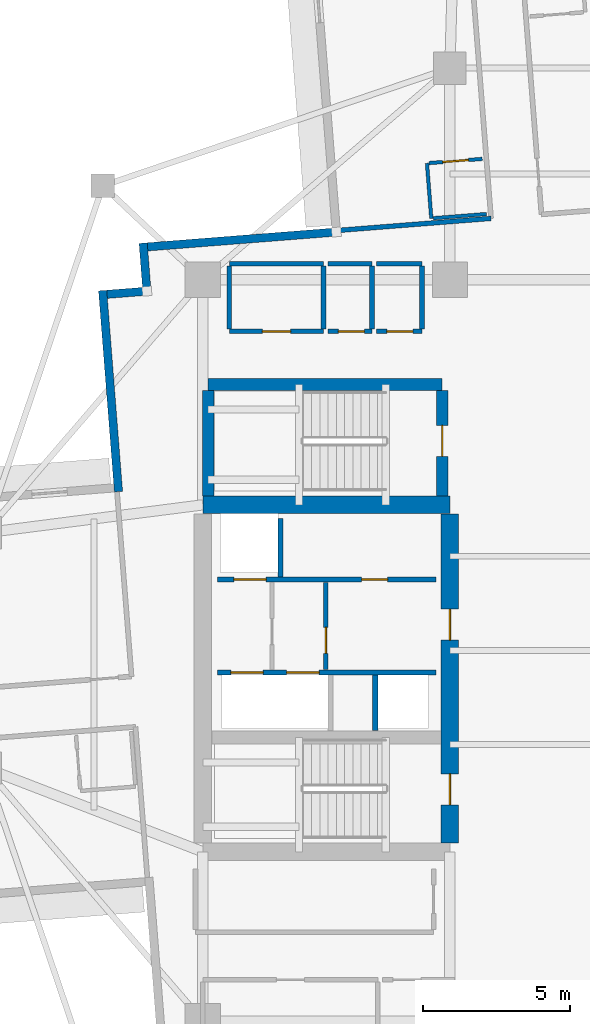
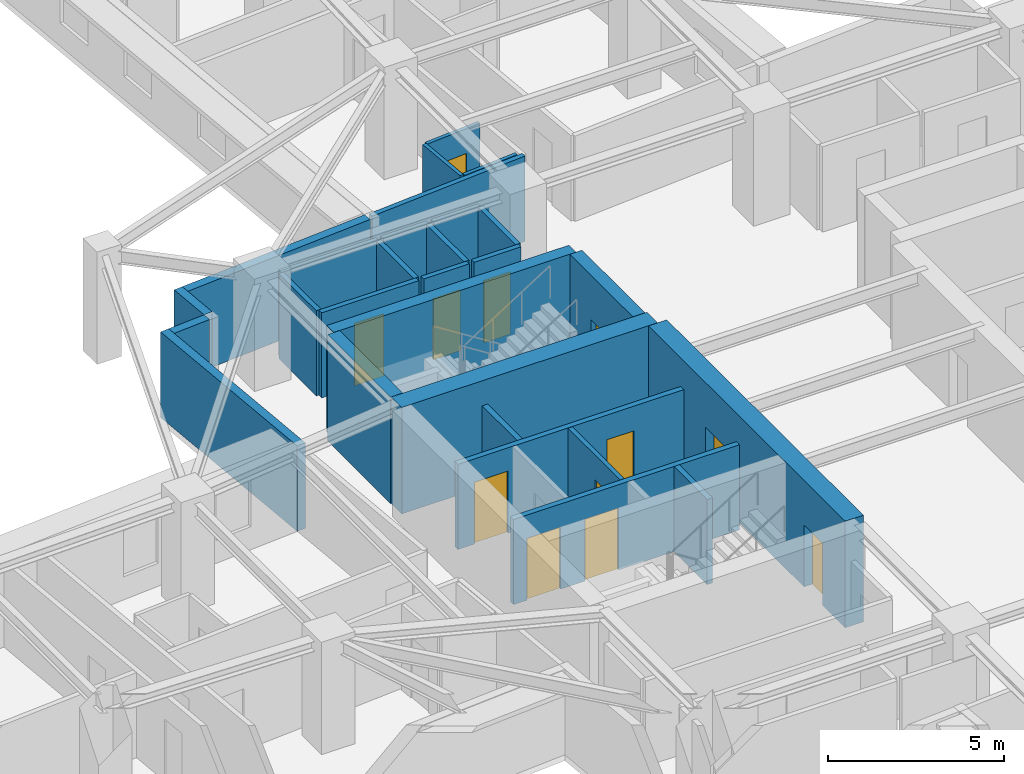
# One storey, part 6 of 14: 28 walls, 12 doors, 12 openings.
"""IFC4 building model written with IfcOpenShell, lengths in metres."""

from ifc_helpers import new_model, si_unit, direction, frame, frame_2d, origin, place, context, subcontext, project, spatial, rectangle, extrude, material, layer, layer_set, type_object, element, fill, save


model = new_model("IFC4")

# Units and contexts
model_context = context("Model", 3, precision=1e-05, world=origin(), true_north=direction((0.0, 1.0)))
body_context = subcontext(model_context, "Body", "Model", "MODEL_VIEW")
ifc_project = project(units=[si_unit("LENGTHUNIT", "METRE"), si_unit("AREAUNIT", "SQUARE_METRE"), si_unit("VOLUMEUNIT", "CUBIC_METRE"), si_unit("PLANEANGLEUNIT", "RADIAN"), si_unit("MASSUNIT", "GRAM", prefix="KILO")], contexts=[model_context])

# Site, building, storey
site_placement = place(None, origin())
site = spatial("IfcSite", under=ifc_project, at=site_placement, CompositionType="ELEMENT")
building_placement = place(site_placement, origin())
building = spatial("IfcBuilding", under=site, at=building_placement, Name="Qingluan Cross Belvedere", CompositionType="ELEMENT")
storey_placement = place(building_placement, frame((0.0, 0.0, 124.199951171875)))
storey = spatial("IfcBuildingStorey", under=building, at=storey_placement, Name="L31", CompositionType="ELEMENT", Elevation=124.199951171875)

# Walls
ifc_material_1 = material(Name="Concrete C50", Category="concrete")
ifc_layer_1 = layer(ifc_material_1, 0.449951171875, Name="CoreShearWall_450")
ifc_layer_set_1 = layer_set([ifc_layer_1], Name="Concrete C50")
wall_type_1 = type_object("IfcWallType", Name="CoreShearWall_450", PredefinedType="SHEAR", material=ifc_layer_set_1)
wall_1_placement = place(storey_placement, frame((-12.219970703125, 9.0400390625, 0.0), z_axis=(0.0, 0.0, 1.0), x_axis=(1.0, 0.0, 0.0)))
element("IfcWall", 1, at=wall_1_placement, inside=storey, type_object=wall_type_1, Name="Stair ST3 structural wall N L31", PredefinedType="SHEAR", context=body_context, shape_type="SweptSolid", body=[
    extrude(rectangle(XDim=7.9599609375, YDim=0.39990234375, at=frame_2d((3.97998046875, 0.0))), origin(), (0.0, 0.0, 1.0), 3.699951171875),
])
wall_2_placement = place(storey_placement, frame((-12.219970703125, 5.2548828125, 0.0), z_axis=(0.0, 0.0, 1.0), x_axis=(0.0, 1.0, 0.0)))
element("IfcWall", 2, at=wall_2_placement, inside=storey, type_object=wall_type_1, Name="Stair ST3 structural wall W L31", PredefinedType="SHEAR", context=body_context, shape_type="SweptSolid", body=[
    extrude(rectangle(XDim=3.580078125, YDim=0.39990234375, at=frame_2d((1.7900390625, 0.0))), origin(), (0.0, 0.0, 1.0), 3.699951171875),
])

# Wall, opening, door
wall_3_placement = place(storey_placement, frame((-4.260009765625, 5.2548828125, 0.0), z_axis=(0.0, 0.0, 1.0), x_axis=(0.0, 1.0, 0.0)))
wall_3 = element("IfcWall", 3, at=wall_3_placement, inside=storey, type_object=wall_type_1, Name="Stair ST3 structural wall E L31", PredefinedType="SHEAR", context=body_context, shape_type="SweptSolid", body=[
    extrude(rectangle(XDim=3.580078125, YDim=0.39990234375, at=frame_2d((1.7900390625, 0.0))), origin(), (0.0, 0.0, 1.0), 3.699951171875),
])
opening_1_placement = place(wall_3_placement, frame((1.344970703125, 0.0, 0.0)))
opening_1 = element("IfcOpeningElement", 4, at=opening_1_placement, cuts=wall_3, Name="Opening FD-B11", PredefinedType="OPENING", context=body_context, shape_type="SweptSolid", body=[
    extrude(rectangle(XDim=1.050048828125, YDim=2.14990234375, at=frame_2d((0.52490234375, 1.074951171875))), frame((0.0, 0.2099609375, 0.0), z_axis=(0.0, -1.0, 0.0), x_axis=(1.0, 0.0, 0.0)), (0.0, 0.0, 1.0), 0.419921875),
])
ifc_material_2 = material(Name="Steel Class B smoke-seal fire door", Category="steel")
door_type_1 = type_object("IfcDoorType", Name="StairLobbyFireDoor_FDB", OperationType="NOTDEFINED", PredefinedType="DOOR", material=ifc_material_2)
door_1_placement = place(opening_1_placement, origin())
door_1 = element("IfcDoor", 5, at=door_1_placement, inside=storey, type_object=door_type_1, Name="Smoke-proof stair ST3 fire door L31", OperationType="SINGLE_SWING_LEFT", OverallHeight=2.14990234375, OverallWidth=1.050048828125, PredefinedType="DOOR", context=body_context, shape_type="SweptSolid", body=[
    extrude(rectangle(XDim=1.050048828125, YDim=2.14990234375, at=frame_2d((0.52490234375, 1.074951171875))), frame((0.0, 0.02490234375, 0.0), z_axis=(0.0, -1.0, 0.0), x_axis=(1.0, 0.0, 0.0)), (0.0, 0.0, 1.0), 0.050048828125),
])
fill(opening_1, door_1)

# Wall
ifc_material_3 = material(Name="Concrete C60", Category="concrete")
ifc_layer_2 = layer(ifc_material_3, 0.60009765625, Name="CoreShearWall_600")
ifc_layer_set_2 = layer_set([ifc_layer_2], Name="Concrete C60")
wall_type_2 = type_object("IfcWallType", Name="CoreShearWall_600", PredefinedType="SHEAR", material=ifc_layer_set_2)
wall_4_placement = place(storey_placement, frame((-12.39990234375, 4.949951171875, 0.0), z_axis=(0.0, 0.0, 1.0), x_axis=(1.0, 0.0, 0.0)))
element("IfcWall", 6, at=wall_4_placement, inside=storey, type_object=wall_type_2, Name="Split core W shear wall L31-N", PredefinedType="SHEAR", context=body_context, shape_type="SweptSolid", body=[
    extrude(rectangle(XDim=8.39990234375, YDim=0.60009765625, at=frame_2d((4.199951171875, 0.0))), origin(), (0.0, 0.0, 1.0), 3.699951171875),
])

# Wall, openings, doors
wall_5_placement = place(storey_placement, frame((-4.0, -6.544921875, 0.0), z_axis=(0.0, 0.0, 1.0), x_axis=(0.0, 1.0, 0.0)))
wall_5 = element("IfcWall", 7, at=wall_5_placement, inside=storey, type_object=wall_type_2, Name="Split core W shear wall L31-E", PredefinedType="SHEAR", context=body_context, shape_type="SweptSolid", body=[
    extrude(rectangle(XDim=11.18994140625, YDim=0.60009765625, at=frame_2d((5.594970703125, 0.0))), origin(), (0.0, 0.0, 1.0), 3.699951171875),
])
opening_2_placement = place(wall_5_placement, frame((1.294921875, 0.0, 0.0)))
opening_2 = element("IfcOpeningElement", 8, at=opening_2_placement, cuts=wall_5, Name="Opening FD-B11", PredefinedType="OPENING", context=body_context, shape_type="SweptSolid", body=[
    extrude(rectangle(XDim=1.050048828125, YDim=2.14990234375, at=frame_2d((0.52490234375, 1.074951171875))), frame((0.0, 0.31005859375, 0.0), z_axis=(0.0, -1.0, 0.0), x_axis=(1.0, 0.0, 0.0)), (0.0, 0.0, 1.0), 0.6201171875),
])
opening_3_placement = place(wall_5_placement, frame((6.89501953125, 0.0, 0.0)))
opening_3 = element("IfcOpeningElement", 9, at=opening_3_placement, cuts=wall_5, Name="Opening FD-B11", PredefinedType="OPENING", context=body_context, shape_type="SweptSolid", body=[
    extrude(rectangle(XDim=1.050048828125, YDim=2.14990234375, at=frame_2d((0.52490234375, 1.074951171875))), frame((0.0, 0.31005859375, 0.0), z_axis=(0.0, -1.0, 0.0), x_axis=(1.0, 0.0, 0.0)), (0.0, 0.0, 1.0), 0.6201171875),
])
door_2_placement = place(opening_2_placement, origin())
door_2 = element("IfcDoor", 10, at=door_2_placement, inside=storey, type_object=door_type_1, Name="Smoke-proof stair ST1 fire door L31", OperationType="SINGLE_SWING_LEFT", OverallHeight=2.14990234375, OverallWidth=1.050048828125, PredefinedType="DOOR", context=body_context, shape_type="SweptSolid", body=[
    extrude(rectangle(XDim=1.050048828125, YDim=2.14990234375, at=frame_2d((0.52490234375, 1.074951171875))), frame((0.0, 0.02490234375, 0.0), z_axis=(0.0, -1.0, 0.0), x_axis=(1.0, 0.0, 0.0)), (0.0, 0.0, 1.0), 0.050048828125),
])
fill(opening_2, door_2)
door_3_placement = place(opening_3_placement, origin())
door_3 = element("IfcDoor", 11, at=door_3_placement, inside=storey, type_object=door_type_1, Name="Firefighting lobby West fire door L31", OperationType="SINGLE_SWING_LEFT", OverallHeight=2.14990234375, OverallWidth=1.050048828125, PredefinedType="DOOR", context=body_context, shape_type="SweptSolid", body=[
    extrude(rectangle(XDim=1.050048828125, YDim=2.14990234375, at=frame_2d((0.52490234375, 1.074951171875))), frame((0.0, 0.02490234375, 0.0), z_axis=(0.0, -1.0, 0.0), x_axis=(1.0, 0.0, 0.0)), (0.0, 0.0, 1.0), 0.050048828125),
])
fill(opening_3, door_3)

# Wall, opening, door
ifc_material_4 = material(Name="Gypsum plasterboard on steel stud acoustic partition", Category="steel")
ifc_layer_3 = layer(ifc_material_4, 0.159912109375, Name="CorridorPartition_160")
ifc_layer_set_3 = layer_set([ifc_layer_3], Name="Gypsum plasterboard on steel stud acoustic partition")
wall_type_3 = type_object("IfcWallType", Name="CorridorPartition_160", PredefinedType="PARTITIONING", material=ifc_layer_set_3)
wall_6_placement = place(storey_placement, frame((-11.5, 10.85009765625, 0.0), z_axis=(0.0, 0.0, 1.0), x_axis=(1.0, 0.0, 0.0)))
wall_6 = element("IfcWall", 12, at=wall_6_placement, inside=storey, type_object=wall_type_3, Name="Partition L31:q_nw_occ:S", PredefinedType="PARTITIONING", context=body_context, shape_type="SweptSolid", body=[
    extrude(rectangle(XDim=3.199951171875, YDim=0.159912109375, at=frame_2d((1.60009765625, 0.0))), origin(), (0.0, 0.0, 1.0), 2.9599609375),
])
opening_4_placement = place(wall_6_placement, frame((1.1201171875, 0.0, 0.0)))
opening_4 = element("IfcOpeningElement", 13, at=opening_4_placement, cuts=wall_6, Name="Opening GD-10", PredefinedType="OPENING", context=body_context, shape_type="SweptSolid", body=[
    extrude(rectangle(XDim=0.9599609375, YDim=2.14990234375, at=frame_2d((0.47998046875, 1.074951171875))), frame((0.0, 0.08984375, 0.0), z_axis=(0.0, -1.0, 0.0), x_axis=(1.0, 0.0, 0.0)), (0.0, 0.0, 1.0), 0.179931640625),
])
ifc_material_5 = material(Name="Timber oak fire-rated acoustic guestroom door", Category="wood")
door_type_2 = type_object("IfcDoorType", Name="GuestEntryDoor_FD60", OperationType="NOTDEFINED", PredefinedType="DOOR", material=ifc_material_5)
door_4_placement = place(opening_4_placement, origin())
door_4 = element("IfcDoor", 14, at=door_4_placement, inside=storey, type_object=door_type_2, Name="Northwest corner reading salon L31 door", OperationType="SINGLE_SWING_RIGHT", OverallHeight=2.14990234375, OverallWidth=0.9599609375, PredefinedType="DOOR", context=body_context, shape_type="SweptSolid", body=[
    extrude(rectangle(XDim=0.9599609375, YDim=2.14990234375, at=frame_2d((0.47998046875, 1.074951171875))), frame((0.0, 0.02490234375, 0.0), z_axis=(0.0, -1.0, 0.0), x_axis=(1.0, 0.0, 0.0)), (0.0, 0.0, 1.0), 0.050048828125),
])
fill(opening_4, door_4)

# Walls
wall_7_placement = place(storey_placement, frame((-11.5, 13.14990234375, 0.0), z_axis=(0.0, 0.0, 1.0), x_axis=(1.0, 0.0, 0.0)))
element("IfcWall", 15, at=wall_7_placement, inside=storey, type_object=wall_type_3, Name="Partition L31:q_nw_occ:N", PredefinedType="PARTITIONING", context=body_context, shape_type="SweptSolid", body=[
    extrude(rectangle(XDim=3.199951171875, YDim=0.159912109375, at=frame_2d((1.60009765625, 0.0))), origin(), (0.0, 0.0, 1.0), 2.9599609375),
])
for number, where, z_axis, x_axis, name in (
    (16, (-11.5, 10.93505859375, 0.0), (0.0, 0.0, 1.0), (0.0, 1.0, 0.0), "Partition L31:q_nw_occ:W"),
    (17, (-8.300048828125, 10.93505859375, 0.0), (0.0, 0.0, 1.0), (0.0, 1.0, 0.0), "Partition L31:q_nw_occ:E"),
):
    element("IfcWall", number, at=place(storey_placement, frame(where, z_axis=z_axis, x_axis=x_axis)), inside=storey, type_object=wall_type_3, Name=name, PredefinedType="PARTITIONING", context=body_context, shape_type="SweptSolid", body=[
        extrude(rectangle(XDim=2.1298828125, YDim=0.159912109375, at=frame_2d((1.06494140625, 0.0))), origin(), (0.0, 0.0, 1.0), 2.9599609375),
    ])

# Wall, opening, door
wall_8_placement = place(storey_placement, frame((-8.139892578125, 10.85009765625, 0.0), z_axis=(0.0, 0.0, 1.0), x_axis=(1.0, 0.0, 0.0)))
wall_8 = element("IfcWall", 18, at=wall_8_placement, inside=storey, type_object=wall_type_3, Name="Partition L31:hk_linen:S", PredefinedType="PARTITIONING", context=body_context, shape_type="SweptSolid", body=[
    extrude(rectangle(XDim=1.489990234375, YDim=0.159912109375, at=frame_2d((0.7451171875, 0.0))), origin(), (0.0, 0.0, 1.0), 2.9599609375),
])
opening_5_placement = place(wall_8_placement, frame((0.35009765625, 0.0, 0.0)))
opening_5 = element("IfcOpeningElement", 19, at=opening_5_placement, cuts=wall_8, Name="Opening FD-B10", PredefinedType="OPENING", context=body_context, shape_type="SweptSolid", body=[
    extrude(rectangle(XDim=0.8798828125, YDim=2.10009765625, at=frame_2d((0.43994140625, 1.050048828125))), frame((0.0, 0.08984375, 0.0), z_axis=(0.0, -1.0, 0.0), x_axis=(1.0, 0.0, 0.0)), (0.0, 0.0, 1.0), 0.179931640625),
])
ifc_material_6 = material(Name="Steel Class B service fire door", Category="steel")
door_type_3 = type_object("IfcDoorType", Name="RiserServiceFireDoor_FDB", OperationType="NOTDEFINED", PredefinedType="DOOR", material=ifc_material_6)
door_5_placement = place(opening_5_placement, origin())
door_5 = element("IfcDoor", 20, at=door_5_placement, inside=storey, type_object=door_type_3, Name="Housekeeping and linen store L31 door", OperationType="SINGLE_SWING_LEFT", OverallHeight=2.10009765625, OverallWidth=0.8798828125, PredefinedType="DOOR", context=body_context, shape_type="SweptSolid", body=[
    extrude(rectangle(XDim=0.8798828125, YDim=2.10009765625, at=frame_2d((0.43994140625, 1.050048828125))), frame((0.0, 0.02490234375, 0.0), z_axis=(0.0, -1.0, 0.0), x_axis=(1.0, 0.0, 0.0)), (0.0, 0.0, 1.0), 0.050048828125),
])
fill(opening_5, door_5)

# Walls
wall_9_placement = place(storey_placement, frame((-8.139892578125, 13.14990234375, 0.0), z_axis=(0.0, 0.0, 1.0), x_axis=(1.0, 0.0, 0.0)))
element("IfcWall", 21, at=wall_9_placement, inside=storey, type_object=wall_type_3, Name="Partition L31:hk_linen:N", PredefinedType="PARTITIONING", context=body_context, shape_type="SweptSolid", body=[
    extrude(rectangle(XDim=1.489990234375, YDim=0.159912109375, at=frame_2d((0.7451171875, 0.0))), origin(), (0.0, 0.0, 1.0), 2.9599609375),
])
wall_10_placement = place(storey_placement, frame((-6.64990234375, 10.93505859375, 0.0), z_axis=(0.0, 0.0, 1.0), x_axis=(0.0, 1.0, 0.0)))
element("IfcWall", 22, at=wall_10_placement, inside=storey, type_object=wall_type_3, Name="Partition L31:hk_linen:E", PredefinedType="PARTITIONING", context=body_context, shape_type="SweptSolid", body=[
    extrude(rectangle(XDim=2.1298828125, YDim=0.159912109375, at=frame_2d((1.06494140625, 0.0))), origin(), (0.0, 0.0, 1.0), 2.9599609375),
])

# Wall, opening, door
wall_11_placement = place(storey_placement, frame((-6.489990234375, 10.85009765625, 0.0), z_axis=(0.0, 0.0, 1.0), x_axis=(1.0, 0.0, 0.0)))
wall_11 = element("IfcWall", 23, at=wall_11_placement, inside=storey, type_object=wall_type_3, Name="Partition L31:floor_acc_wc:S", PredefinedType="PARTITIONING", context=body_context, shape_type="SweptSolid", body=[
    extrude(rectangle(XDim=1.5400390625, YDim=0.159912109375, at=frame_2d((0.77001953125, 0.0))), origin(), (0.0, 0.0, 1.0), 2.9599609375),
])
opening_6_placement = place(wall_11_placement, frame((0.35009765625, 0.0, 0.0)))
opening_6 = element("IfcOpeningElement", 24, at=opening_6_placement, cuts=wall_11, Name="Opening BD-08", PredefinedType="OPENING", context=body_context, shape_type="SweptSolid", body=[
    extrude(rectangle(XDim=0.8798828125, YDim=2.14990234375, at=frame_2d((0.43994140625, 1.074951171875))), frame((0.0, 0.08984375, 0.0), z_axis=(0.0, -1.0, 0.0), x_axis=(1.0, 0.0, 0.0)), (0.0, 0.0, 1.0), 0.179931640625),
])
ifc_material_7 = material(Name="Moisture-sealed timber accessible WC door", Category="wood")
door_type_4 = type_object("IfcDoorType", Name="AccessibleWCDoor_880", OperationType="NOTDEFINED", PredefinedType="DOOR", material=ifc_material_7)
door_6_placement = place(opening_6_placement, origin())
door_6 = element("IfcDoor", 25, at=door_6_placement, inside=storey, type_object=door_type_4, Name="Accessible guest washroom L31 door", OperationType="SINGLE_SWING_RIGHT", OverallHeight=2.14990234375, OverallWidth=0.8798828125, PredefinedType="DOOR", context=body_context, shape_type="SweptSolid", body=[
    extrude(rectangle(XDim=0.8798828125, YDim=2.14990234375, at=frame_2d((0.43994140625, 1.074951171875))), frame((0.0, 0.02490234375, 0.0), z_axis=(0.0, -1.0, 0.0), x_axis=(1.0, 0.0, 0.0)), (0.0, 0.0, 1.0), 0.050048828125),
])
fill(opening_6, door_6)

# Walls
wall_12_placement = place(storey_placement, frame((-6.489990234375, 13.14990234375, 0.0), z_axis=(0.0, 0.0, 1.0), x_axis=(1.0, 0.0, 0.0)))
element("IfcWall", 26, at=wall_12_placement, inside=storey, type_object=wall_type_3, Name="Partition L31:floor_acc_wc:N", PredefinedType="PARTITIONING", context=body_context, shape_type="SweptSolid", body=[
    extrude(rectangle(XDim=1.5400390625, YDim=0.159912109375, at=frame_2d((0.77001953125, 0.0))), origin(), (0.0, 0.0, 1.0), 2.9599609375),
])
wall_13_placement = place(storey_placement, frame((-4.949951171875, 10.93505859375, 0.0), z_axis=(0.0, 0.0, 1.0), x_axis=(0.0, 1.0, 0.0)))
element("IfcWall", 27, at=wall_13_placement, inside=storey, type_object=wall_type_3, Name="Partition L31:floor_acc_wc:E", PredefinedType="PARTITIONING", context=body_context, shape_type="SweptSolid", body=[
    extrude(rectangle(XDim=2.1298828125, YDim=0.159912109375, at=frame_2d((1.06494140625, 0.0))), origin(), (0.0, 0.0, 1.0), 2.9599609375),
])
wall_14_placement = place(storey_placement, frame((-2.6005859375, 14.691162109375, 0.0), z_axis=(0.0, 0.0, 1.0), x_axis=(-0.996920542587, -0.078418312705, 0.0)))
element("IfcWall", 28, at=wall_14_placement, inside=storey, type_object=wall_type_3, Name="Partition L31:N:s1", PredefinedType="PARTITIONING", context=body_context, shape_type="SweptSolid", body=[
    extrude(rectangle(XDim=5.2802734375, YDim=0.159912109375, at=frame_2d((2.64013671875, 0.0))), origin(), (0.0, 0.0, 1.0), 2.9599609375),
])

# Wall, opening, door
ifc_material_8 = material(Name="Moisture-resistant gypsum board lining")
ifc_layer_4 = layer(ifc_material_8, 0.1201171875, Name="EnsuiteWetPartition_120")
ifc_layer_set_4 = layer_set([ifc_layer_4], Name="Moisture-resistant gypsum board lining")
wall_type_4 = type_object("IfcWallType", Name="EnsuiteWetPartition_120", PredefinedType="PARTITIONING", material=ifc_layer_set_4)
wall_15_placement = place(storey_placement, frame((-4.714599609375, 16.5712890625, 0.0), z_axis=(0.0, 0.0, 1.0), x_axis=(0.996915574626, 0.078481444107, 0.0)))
wall_15 = element("IfcWall", 29, at=wall_15_placement, inside=storey, type_object=wall_type_4, Name="Partition L31:N:bs1_0", PredefinedType="PARTITIONING", context=body_context, shape_type="SweptSolid", body=[
    extrude(rectangle(XDim=1.81982421875, YDim=0.1201171875, at=frame_2d((0.909912109375, 0.0))), origin(), (0.0, 0.0, 1.0), 2.9599609375),
])
opening_7_placement = place(wall_15_placement, frame((0.469970703125, 0.0, 0.0)))
opening_7 = element("IfcOpeningElement", 30, at=opening_7_placement, cuts=wall_15, Name="Opening BD-09", PredefinedType="OPENING", context=body_context, shape_type="SweptSolid", body=[
    extrude(rectangle(XDim=0.8798828125, YDim=2.10009765625, at=frame_2d((0.43994140625, 1.050048828125))), frame((0.0, 0.070068359375, 0.0), z_axis=(0.0, -1.0, 0.0), x_axis=(1.0, 0.0, 0.0)), (0.0, 0.0, 1.0), 0.14013671875),
])
ifc_material_9 = material(Name="Moisture-sealed timber en-suite door", Category="wood")
door_type_5 = type_object("IfcDoorType", Name="BathroomDoor_880", OperationType="NOTDEFINED", PredefinedType="DOOR", material=ifc_material_9)
door_7_placement = place(opening_7_placement, origin())
door_7 = element("IfcDoor", 31, at=door_7_placement, inside=storey, type_object=door_type_5, Name="Bathroom door 3108", OperationType="SINGLE_SWING_LEFT", OverallHeight=2.10009765625, OverallWidth=0.8798828125, PredefinedType="DOOR", context=body_context, shape_type="SweptSolid", body=[
    extrude(rectangle(XDim=0.8798828125, YDim=2.10009765625, at=frame_2d((0.43994140625, 1.050048828125))), frame((0.0, 0.02490234375, 0.0), z_axis=(0.0, -1.0, 0.0), x_axis=(1.0, 0.0, 0.0)), (0.0, 0.0, 1.0), 0.050048828125),
])
fill(opening_7, door_7)

# Walls
wall_16_placement = place(storey_placement, frame((-4.567138671875, 14.697021484375, 0.0), z_axis=(0.0, 0.0, 1.0), x_axis=(0.996916400774, 0.0784709492, 0.0)))
element("IfcWall", 32, at=wall_16_placement, inside=storey, type_object=wall_type_4, Name="Partition L31:N:bw1_0", PredefinedType="PARTITIONING", context=body_context, shape_type="SweptSolid", body=[
    extrude(rectangle(XDim=1.820068359375, YDim=0.1201171875, at=frame_2d((0.91015625, 0.0))), origin(), (0.0, 0.0, 1.0), 2.9599609375),
])
wall_17_placement = place(storey_placement, frame((-4.632080078125, 14.69189453125, 0.0), z_axis=(0.0, 0.0, 1.0), x_axis=(-0.07843418698, 0.996919293781, 0.0)))
element("IfcWall", 33, at=wall_17_placement, inside=storey, type_object=wall_type_4, Name="Partition L31:N:bc1_0", PredefinedType="PARTITIONING", context=body_context, shape_type="SweptSolid", body=[
    extrude(rectangle(XDim=1.880126953125, YDim=0.1201171875, at=frame_2d((0.93994140625, 0.0))), origin(), (0.0, 0.0, 1.0), 2.9599609375),
])
ifc_material_10 = material(Name="Precast concrete C45", Category="concrete")
ifc_layer_5 = layer(ifc_material_10, 0.280029296875, Name="PrecastFacadeWall_280")
ifc_layer_set_5 = layer_set([ifc_layer_5], Name="Precast concrete C45")
wall_type_5 = type_object("IfcWallType", Name="PrecastFacadeWall_280", PredefinedType="STANDARD", material=ifc_layer_set_5)
wall_18_placement = place(storey_placement, frame((-15.2705078125, 5.3984375, 0.0), z_axis=(0.0, 0.0, 1.0), x_axis=(-0.078473519122, 0.996916198482, 0.0)))
element("IfcWall", 34, at=wall_18_placement, inside=storey, type_object=wall_type_5, Name="Corner wall L31-NW1", PredefinedType="STANDARD", context=body_context, shape_type="SweptSolid", body=[
    extrude(rectangle(XDim=6.860107421875, YDim=0.280029296875, at=frame_2d((3.43017578125, 0.0))), origin(), (0.0, 0.0, 1.0), 2.969970703125),
])
wall_19_placement = place(storey_placement, frame((-15.658203125, 12.10888671875, 0.0), z_axis=(0.0, 0.0, 1.0), x_axis=(0.996917540398, 0.078456469752, 0.0)))
element("IfcWall", 35, at=wall_19_placement, inside=storey, type_object=wall_type_5, Name="Corner wall L31-NW2", PredefinedType="STANDARD", context=body_context, shape_type="SweptSolid", body=[
    extrude(rectangle(XDim=1.2197265625, YDim=0.280029296875, at=frame_2d((0.60986328125, 0.0))), origin(), (0.0, 0.0, 1.0), 2.969970703125),
])
wall_20_placement = place(storey_placement, frame((-14.3134765625, 12.35498046875, 0.0), z_axis=(0.0, 0.0, 1.0), x_axis=(-0.078451338629, 0.9969179442, 0.0)))
element("IfcWall", 36, at=wall_20_placement, inside=storey, type_object=wall_type_5, Name="Corner wall L31-NW3", PredefinedType="STANDARD", context=body_context, shape_type="SweptSolid", body=[
    extrude(rectangle(XDim=1.5, YDim=0.280029296875, at=frame_2d((0.75, 0.0))), origin(), (0.0, 0.0, 1.0), 2.969970703125),
])
wall_21_placement = place(storey_placement, frame((-14.280517578125, 13.721923828125, 0.0), z_axis=(0.0, 0.0, 1.0), x_axis=(0.99691915642, 0.078435932851, 0.0)))
element("IfcWall", 37, at=wall_21_placement, inside=storey, type_object=wall_type_5, Name="Corner wall L31-NW4", PredefinedType="STANDARD", context=body_context, shape_type="SweptSolid", body=[
    extrude(rectangle(XDim=6.2998046875, YDim=0.280029296875, at=frame_2d((3.14990234375, 0.0))), origin(), (0.0, 0.0, 1.0), 2.969970703125),
])

# Wall, openings, doors
ifc_material_11 = material(Name="Concrete C40", Category="concrete")
ifc_layer_6 = layer(ifc_material_11, 0.219970703125, Name="ShaftEnclosureWall_250")
ifc_layer_set_6 = layer_set([ifc_layer_6], Name="Concrete C40")
wall_type_6 = type_object("IfcWallType", Name="ShaftEnclosureWall_250", PredefinedType="SOLIDWALL", material=ifc_layer_set_6)
wall_22_placement = place(storey_placement, frame((-11.89990234375, 2.409912109375, 0.0), z_axis=(0.0, 0.0, 1.0), x_axis=(1.0, 0.0, 0.0)))
wall_22 = element("IfcWall", 38, at=wall_22_placement, inside=storey, type_object=wall_type_6, Name="Core-W north hoistway wall L31", PredefinedType="SOLIDWALL", context=body_context, shape_type="SweptSolid", body=[
    extrude(rectangle(XDim=7.419921875, YDim=0.179931640625, at=frame_2d((3.7099609375, 0.0))), origin(), (0.0, 0.0, 1.0), 2.9599609375),
])
opening_8_placement = place(wall_22_placement, frame((0.550048828125, 0.0, 0.0)))
opening_8 = element("IfcOpeningElement", 39, at=opening_8_placement, cuts=wall_22, Name="Opening LD-11", PredefinedType="OPENING", context=body_context, shape_type="SweptSolid", body=[
    extrude(rectangle(XDim=1.10009765625, YDim=2.14990234375, at=frame_2d((0.550048828125, 1.074951171875))), frame((0.0, 0.099853515625, 0.0), z_axis=(0.0, -1.0, 0.0), x_axis=(1.0, 0.0, 0.0)), (0.0, 0.0, 1.0), 0.199951171875),
])
opening_9_placement = place(wall_22_placement, frame((4.89990234375, 0.0, 0.0)))
opening_9 = element("IfcOpeningElement", 40, at=opening_9_placement, cuts=wall_22, Name="Opening FD-B10", PredefinedType="OPENING", context=body_context, shape_type="SweptSolid", body=[
    extrude(rectangle(XDim=0.8798828125, YDim=2.10009765625, at=frame_2d((0.43994140625, 1.050048828125))), frame((0.0, 0.099853515625, 0.0), z_axis=(0.0, -1.0, 0.0), x_axis=(1.0, 0.0, 0.0)), (0.0, 0.0, 1.0), 0.199951171875),
])
ifc_material_12 = material(Name="Brushed stainless steel centre-opening lift landing door", Category="steel")
door_type_6 = type_object("IfcDoorType", Name="LiftLandingSlidingDoor_1100", OperationType="DOUBLE_DOOR_SLIDING", PredefinedType="DOOR", material=ifc_material_12)
door_8_placement = place(opening_8_placement, origin())
door_8 = element("IfcDoor", 41, at=door_8_placement, inside=storey, type_object=door_type_6, Name="Lift landing sliding door FL1 L31", OperationType="DOUBLE_DOOR_SLIDING", OverallHeight=2.14990234375, OverallWidth=1.10009765625, PredefinedType="DOOR", context=body_context, shape_type="SweptSolid", body=[
    extrude(rectangle(XDim=1.10009765625, YDim=2.14990234375, at=frame_2d((0.550048828125, 1.074951171875))), frame((0.0, 0.02490234375, 0.0), z_axis=(0.0, -1.0, 0.0), x_axis=(1.0, 0.0, 0.0)), (0.0, 0.0, 1.0), 0.050048828125),
])
fill(opening_8, door_8)
door_9_placement = place(opening_9_placement, origin())
door_9 = element("IfcDoor", 42, at=door_9_placement, inside=storey, type_object=door_type_3, Name="Housekeeping supply room door W L31", OperationType="SINGLE_SWING_RIGHT", OverallHeight=2.10009765625, OverallWidth=0.8798828125, PredefinedType="DOOR", context=body_context, shape_type="SweptSolid", body=[
    extrude(rectangle(XDim=0.8798828125, YDim=2.10009765625, at=frame_2d((0.43994140625, 1.050048828125))), frame((0.0, 0.02490234375, 0.0), z_axis=(0.0, -1.0, 0.0), x_axis=(1.0, 0.0, 0.0)), (0.0, 0.0, 1.0), 0.050048828125),
])
fill(opening_9, door_9)

wall_23_placement = place(storey_placement, frame((-11.89990234375, -0.75, 0.0), z_axis=(0.0, 0.0, 1.0), x_axis=(1.0, 0.0, 0.0)))
wall_23 = element("IfcWall", 43, at=wall_23_placement, inside=storey, type_object=wall_type_6, Name="Core-W mid hoistway wall L31", PredefinedType="SOLIDWALL", context=body_context, shape_type="SweptSolid", body=[
    extrude(rectangle(XDim=7.419921875, YDim=0.179931640625, at=frame_2d((3.7099609375, 0.0))), origin(), (0.0, 0.0, 1.0), 2.9599609375),
])
opening_10_placement = place(wall_23_placement, frame((0.449951171875, 0.0, 0.0)))
opening_10 = element("IfcOpeningElement", 44, at=opening_10_placement, cuts=wall_23, Name="Opening LD-11", PredefinedType="OPENING", context=body_context, shape_type="SweptSolid", body=[
    extrude(rectangle(XDim=1.10009765625, YDim=2.14990234375, at=frame_2d((0.550048828125, 1.074951171875))), frame((0.0, 0.099853515625, 0.0), z_axis=(0.0, -1.0, 0.0), x_axis=(1.0, 0.0, 0.0)), (0.0, 0.0, 1.0), 0.199951171875),
])
opening_11_placement = place(wall_23_placement, frame((2.35009765625, 0.0, 0.0)))
opening_11 = element("IfcOpeningElement", 45, at=opening_11_placement, cuts=wall_23, Name="Opening LD-11", PredefinedType="OPENING", context=body_context, shape_type="SweptSolid", body=[
    extrude(rectangle(XDim=1.10009765625, YDim=2.14990234375, at=frame_2d((0.550048828125, 1.074951171875))), frame((0.0, 0.099853515625, 0.0), z_axis=(0.0, -1.0, 0.0), x_axis=(1.0, 0.0, 0.0)), (0.0, 0.0, 1.0), 0.199951171875),
])
door_10_placement = place(opening_10_placement, origin())
door_10 = element("IfcDoor", 46, at=door_10_placement, inside=storey, type_object=door_type_6, Name="Lift landing sliding door LP5 L31", OperationType="DOUBLE_DOOR_SLIDING", OverallHeight=2.14990234375, OverallWidth=1.10009765625, PredefinedType="DOOR", context=body_context, shape_type="SweptSolid", body=[
    extrude(rectangle(XDim=1.10009765625, YDim=2.14990234375, at=frame_2d((0.550048828125, 1.074951171875))), frame((0.0, 0.02490234375, 0.0), z_axis=(0.0, -1.0, 0.0), x_axis=(1.0, 0.0, 0.0)), (0.0, 0.0, 1.0), 0.050048828125),
])
fill(opening_10, door_10)
door_11_placement = place(opening_11_placement, origin())
door_11 = element("IfcDoor", 47, at=door_11_placement, inside=storey, type_object=door_type_6, Name="Lift landing sliding door LP6 L31", OperationType="DOUBLE_DOOR_SLIDING", OverallHeight=2.14990234375, OverallWidth=1.10009765625, PredefinedType="DOOR", context=body_context, shape_type="SweptSolid", body=[
    extrude(rectangle(XDim=1.10009765625, YDim=2.14990234375, at=frame_2d((0.550048828125, 1.074951171875))), frame((0.0, 0.02490234375, 0.0), z_axis=(0.0, -1.0, 0.0), x_axis=(1.0, 0.0, 0.0)), (0.0, 0.0, 1.0), 0.050048828125),
])
fill(opening_11, door_11)

# Walls
wall_24_placement = place(storey_placement, frame((-9.760009765625, 2.5, 0.0), z_axis=(0.0, 0.0, 1.0), x_axis=(0.0, 1.0, 0.0)))
element("IfcWall", 48, at=wall_24_placement, inside=storey, type_object=wall_type_6, Name="Hoistway enclosure divider FL1E L31", PredefinedType="SOLIDWALL", context=body_context, shape_type="SweptSolid", body=[
    extrude(rectangle(XDim=1.989990234375, YDim=0.179931640625, at=frame_2d((0.9951171875, 0.0))), origin(), (0.0, 0.0, 1.0), 2.9599609375),
])
wall_25_placement = place(storey_placement, frame((-6.5400390625, -2.72998046875, 0.0), z_axis=(0.0, 0.0, 1.0), x_axis=(0.0, 1.0, 0.0)))
element("IfcWall", 49, at=wall_25_placement, inside=storey, type_object=wall_type_6, Name="Hoistway enclosure divider LP8W L31", PredefinedType="SOLIDWALL", context=body_context, shape_type="SweptSolid", body=[
    extrude(rectangle(XDim=1.889892578125, YDim=0.179931640625, at=frame_2d((0.94482421875, 0.0))), origin(), (0.0, 0.0, 1.0), 2.9599609375),
])

# Wall, opening, door
wall_26_placement = place(storey_placement, frame((-8.219970703125, -0.64990234375, 0.0), z_axis=(0.0, 0.0, 1.0), x_axis=(0.0, 1.0, 0.0)))
wall_26 = element("IfcWall", 50, at=wall_26_placement, inside=storey, type_object=wall_type_6, Name="Core-W service corridor wall L31", PredefinedType="SOLIDWALL", context=body_context, shape_type="SweptSolid", body=[
    extrude(rectangle(XDim=2.9599609375, YDim=0.139892578125, at=frame_2d((1.47998046875, 0.0))), origin(), (0.0, 0.0, 1.0), 2.9599609375),
])
opening_12_placement = place(wall_26_placement, frame((0.550048828125, 0.0, 0.0)))
opening_12 = element("IfcOpeningElement", 51, at=opening_12_placement, cuts=wall_26, Name="Opening FD-B10", PredefinedType="OPENING", context=body_context, shape_type="SweptSolid", body=[
    extrude(rectangle(XDim=0.8798828125, YDim=2.10009765625, at=frame_2d((0.43994140625, 1.050048828125))), frame((0.0, 0.079833984375, 0.0), z_axis=(0.0, -1.0, 0.0), x_axis=(1.0, 0.0, 0.0)), (0.0, 0.0, 1.0), 0.159912109375),
])
door_12_placement = place(opening_12_placement, origin())
door_12 = element("IfcDoor", 52, at=door_12_placement, inside=storey, type_object=door_type_3, Name="Core-W service room door L31", OperationType="SINGLE_SWING_RIGHT", OverallHeight=2.10009765625, OverallWidth=0.8798828125, PredefinedType="DOOR", context=body_context, shape_type="SweptSolid", body=[
    extrude(rectangle(XDim=0.8798828125, YDim=2.10009765625, at=frame_2d((0.43994140625, 1.050048828125))), frame((0.0, 0.02490234375, 0.0), z_axis=(0.0, -1.0, 0.0), x_axis=(1.0, 0.0, 0.0)), (0.0, 0.0, 1.0), 0.050048828125),
])
fill(opening_12, door_12)

save(model, "model.ifc")
